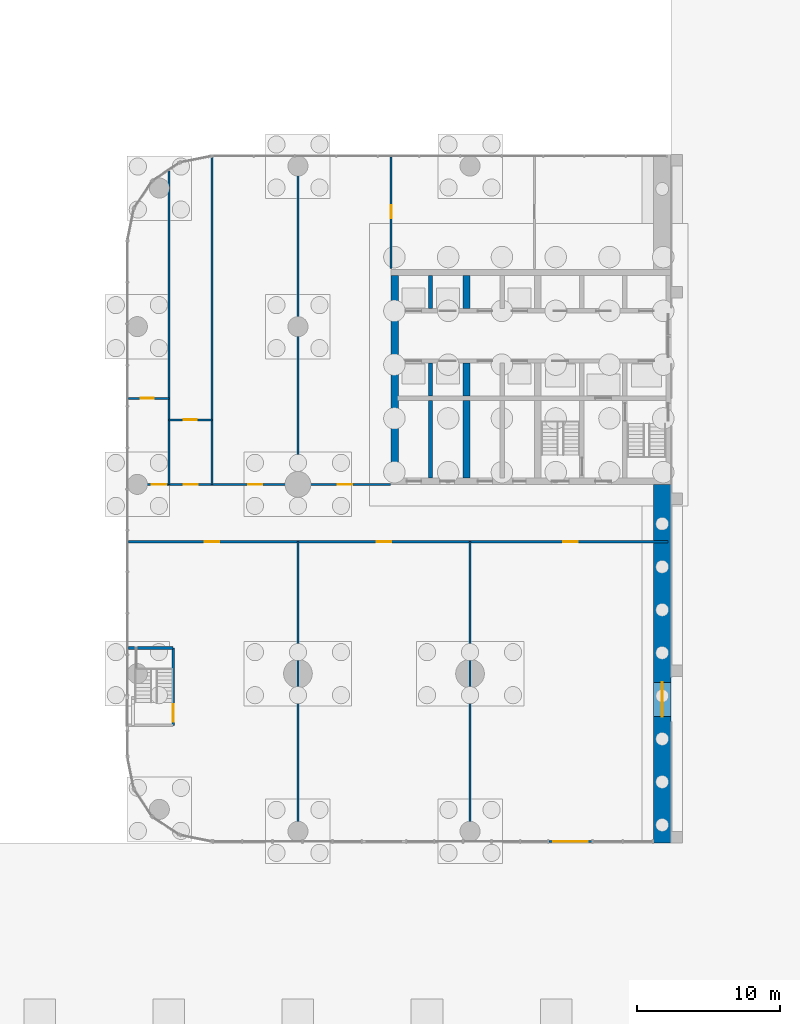
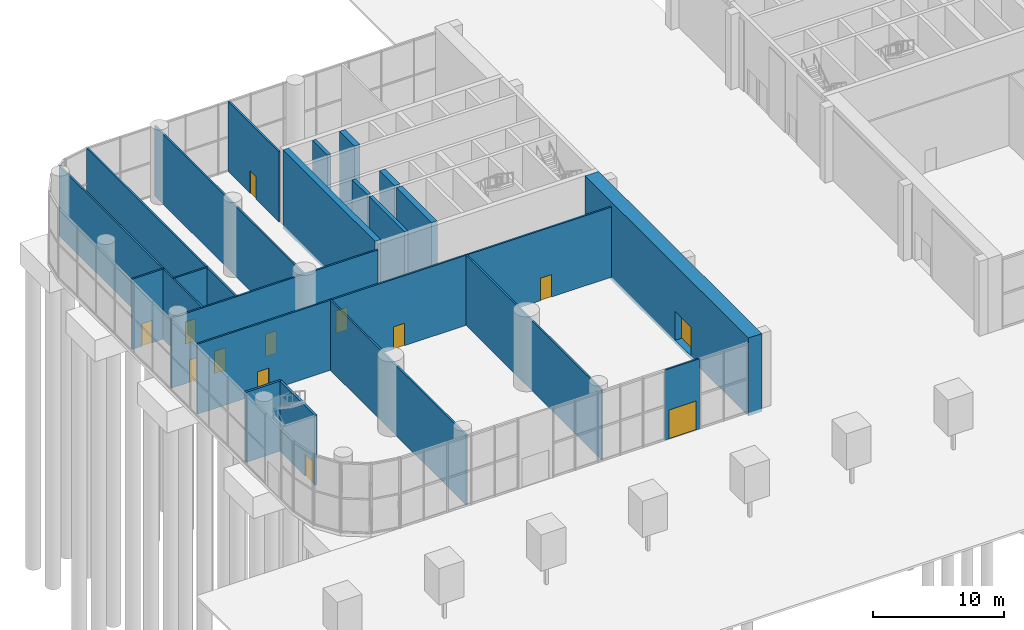
# One storey, part 17 of 26: 23 walls, 13 doors, 13 openings.
"""IFC4 building model written with IfcOpenShell, lengths in metres."""

import ifcopenshell
import ifcopenshell.guid

model = None  # the IFC model being written
_history = None  # IfcOwnerHistory: only IFC2X3 demands one
_inside = {}  # id of a spatial element -> (the spatial element, [elements in it])
_under = {}  # id of a project, library or spatial element -> (it, [spatial elements below it])
_declared = {}  # id of a project -> (the project, [libraries it declares])
_typed = {}  # id of a type object -> (the type object, [elements of that type])
_made_of = {}  # id of a material, layer set ... -> (it, [elements and type objects made of it])


def new_model(schema):
    """Start an empty IFC model of exactly this schema.

    Asked for "IFC4X3", IfcOpenShell would pick the latest addendum, in which some entities
    have other attributes; the version numbers below select the first issue.
    IFC2X3 requires an IfcOwnerHistory on every rooted entity: one is made here for all.
    """
    global model, _history
    if schema == "IFC4X3":
        model = ifcopenshell.file(schema_version=(4, 3, 0, 0))
    else:
        model = ifcopenshell.file(schema=schema)
    _inside.clear()
    _under.clear()
    _declared.clear()
    _typed.clear()
    _made_of.clear()
    _history = None
    if model.schema == "IFC2X3":
        org = make("IfcOrganization", Name="unknown")
        user = make(
            "IfcPersonAndOrganization",
            ThePerson=make("IfcPerson", FamilyName="unknown"),
            TheOrganization=org,
        )
        app = make(
            "IfcApplication",
            ApplicationDeveloper=org,
            Version="unknown",
            ApplicationFullName="unknown",
            ApplicationIdentifier="unknown",
        )
        _history = make(
            "IfcOwnerHistory",
            OwningUser=user,
            OwningApplication=app,
            ChangeAction="ADDED",
            CreationDate=0,
        )
    return model


def make(cls, **values):
    """One entity of the class cls with the attributes given. An attribute that is None is left unset."""
    return model.create_entity(
        cls, **{name: value for name, value in values.items() if value is not None}
    )


def rooted(cls, **values):
    """An entity with a GlobalId (a new one), such as an element, a storey or a relation."""
    return make(cls, GlobalId=ifcopenshell.guid.new(), OwnerHistory=_history, **values)


def si_unit(unit_type, name, prefix=None):
    """IfcSIUnit, for example si_unit("LENGTHUNIT", "METRE", prefix="MILLI")."""
    return make("IfcSIUnit", UnitType=unit_type, Prefix=prefix, Name=name)


def assignment(units):
    """IfcUnitAssignment: the units of a project."""
    return None if units is None else make("IfcUnitAssignment", Units=units)


def point(xyz):
    """IfcCartesianPoint."""
    return None if xyz is None else make("IfcCartesianPoint", Coordinates=xyz)


def direction(xyz):
    """IfcDirection."""
    return None if xyz is None else make("IfcDirection", DirectionRatios=xyz)


def frame(location, z_axis=None, x_axis=None):
    """IfcAxis2Placement3D, a coordinate frame: its origin and axes. An axis left out is left unset."""
    return make(
        "IfcAxis2Placement3D",
        Location=point(location),
        Axis=direction(z_axis),
        RefDirection=direction(x_axis),
    )


def frame_2d(location, x_axis=None):
    """IfcAxis2Placement2D, a coordinate frame in the plane: its origin and x axis."""
    return make(
        "IfcAxis2Placement2D", Location=point(location), RefDirection=direction(x_axis)
    )


def origin():
    """The frame at (0, 0, 0) with its axes left unset."""
    return frame((0.0, 0.0, 0.0))


def place(relative_to, where):
    """IfcLocalPlacement: puts the frame where relative to a parent placement (None: the world)."""
    return make(
        "IfcLocalPlacement", PlacementRelTo=relative_to, RelativePlacement=where
    )


def context(
    kind, dimensions, precision=None, world=None, true_north=None, identifier=None
):
    """IfcGeometricRepresentationContext, for example the 3D "Model" context."""
    return make(
        "IfcGeometricRepresentationContext",
        ContextIdentifier=identifier,
        ContextType=kind,
        CoordinateSpaceDimension=dimensions,
        Precision=precision,
        WorldCoordinateSystem=world,
        TrueNorth=true_north,
    )


def subcontext(parent, identifier, kind, view, scale=None):
    """IfcGeometricRepresentationSubContext, for example "Body" below "Model"."""
    return make(
        "IfcGeometricRepresentationSubContext",
        ContextIdentifier=identifier,
        ContextType=kind,
        ParentContext=parent,
        TargetScale=scale,
        TargetView=view,
    )


def project(units=None, contexts=None):
    """IfcProject with its units and contexts."""
    return rooted(
        "IfcProject",
        Name="project",
        RepresentationContexts=contexts,
        UnitsInContext=assignment(units),
    )


def spatial(cls, under=None, at=None, **own):
    """A site, building, storey or space (cls), placed at a placement, below another one or the project."""
    s = rooted(cls, ObjectPlacement=at, **own)
    if under is not None:
        _under.setdefault(under.id(), (under, []))[1].append(s)
    return s


def profile(cls, at=None, kind="AREA", **sizes):
    """A parametric profile (cls). Its sizes go by their IFC names, for example OverallWidth=200.0."""
    return make(cls, ProfileType=kind, Position=at, **sizes)


def rectangle(**sizes):
    """IfcRectangleProfileDef."""
    return profile("IfcRectangleProfileDef", **sizes)


def extrude(swept, where, along, depth):
    """IfcExtrudedAreaSolid: the profile swept, set in the frame where, extruded along a direction by depth."""
    return make(
        "IfcExtrudedAreaSolid",
        SweptArea=swept,
        Position=where,
        ExtrudedDirection=direction(along),
        Depth=depth,
    )


def shape(context_of_items, identifier, shape_type, items):
    """IfcShapeRepresentation: the items that make up one representation, for example the "Body"."""
    return make(
        "IfcShapeRepresentation",
        ContextOfItems=context_of_items,
        RepresentationIdentifier=identifier,
        RepresentationType=shape_type,
        Items=items,
    )


def material(Name=None, Category=None):
    """IfcMaterial."""
    return make("IfcMaterial", Name=Name, Category=Category)


def layer(
    of_material, thickness, ventilated=None, Name=None, Category=None, Priority=None
):
    """IfcMaterialLayer: one layer of a wall or slab, of a material (None: an air gap)."""
    return make(
        "IfcMaterialLayer",
        Material=of_material,
        LayerThickness=thickness,
        IsVentilated=ventilated,
        Name=Name,
        Category=Category,
        Priority=Priority,
    )


def layer_set(layers, Name=None):
    """IfcMaterialLayerSet."""
    return make("IfcMaterialLayerSet", MaterialLayers=layers, LayerSetName=Name)


def made_of(thing, what):
    """Note that an element or type object is made of a material, layer set ...; save() writes the relation."""
    if what is not None:
        _made_of.setdefault(what.id(), (what, []))[1].append(thing)
    return thing


def type_object(cls, material=None, **own):
    """A type object (cls), such as IfcWallType, which elements share."""
    return made_of(rooted(cls, **own), material)


def element(
    cls,
    number,
    at=None,
    inside=None,
    cuts=None,
    type_object=None,
    material=None,
    context=None,
    identifier="Body",
    shape_type=None,
    held_by="IfcProductDefinitionShape",
    body=None,
    shapes=None,
    **own,
):
    """One element of the class cls, such as IfcWall. Its Tag is "e" and its number.

    at: its placement. inside: the storey or other place that contains it. cuts: it is an
    opening in that element (IfcRelVoidsElement). A single representation is given by context,
    identifier, shape_type and body (its items); several are given by shapes. held_by: the class
    of the entity that holds the representations. save() writes the other relations.
    """
    e = rooted(cls, Tag="e%d" % number, ObjectPlacement=at, **own)
    if body is not None:
        shapes = [shape(context, identifier, shape_type, body)]
    if shapes is not None:
        e.Representation = make(held_by, Representations=shapes)
    if inside is not None:
        _inside.setdefault(inside.id(), (inside, []))[1].append(e)
    if cuts is not None:
        rooted(
            "IfcRelVoidsElement", RelatingBuildingElement=cuts, RelatedOpeningElement=e
        )
    if type_object is not None:
        _typed.setdefault(type_object.id(), (type_object, []))[1].append(e)
    return made_of(e, material)


def fill(opening, filler):
    """IfcRelFillsElement: the door or window that sits in an opening."""
    return rooted(
        "IfcRelFillsElement",
        RelatingOpeningElement=opening,
        RelatedBuildingElement=filler,
    )


def aggregate(whole, parts):
    """IfcRelAggregates: a whole, such as a stair, and the parts it consists of."""
    return rooted("IfcRelAggregates", RelatingObject=whole, RelatedObjects=parts)


def save(model, path):
    """Write the relations noted so far, then the file.

    IfcRelAggregates (storeys below a building ...), IfcRelContainedInSpatialStructure (elements
    in a storey), IfcRelDefinesByType, IfcRelAssociatesMaterial and IfcRelDeclares: one each for
    every whole, place, type object, material and project.
    """
    for whole, parts in _under.values():
        aggregate(whole, parts)
    for where, things in _inside.values():
        rooted(
            "IfcRelContainedInSpatialStructure",
            RelatedElements=things,
            RelatingStructure=where,
        )
    for kind, things in _typed.values():
        rooted("IfcRelDefinesByType", RelatedObjects=things, RelatingType=kind)
    for what, things in _made_of.values():
        rooted("IfcRelAssociatesMaterial", RelatedObjects=things, RelatingMaterial=what)
    for by, libraries in _declared.values():
        rooted("IfcRelDeclares", RelatingContext=by, RelatedDefinitions=libraries)
    model.write(path)


model = new_model("IFC4")

# Units and contexts
model_context = context("Model", 3, precision=1e-05, world=origin(), true_north=direction((0.0, 1.0)))
body_context = subcontext(model_context, "Body", "Model", "MODEL_VIEW")
ifc_project = project(units=[si_unit("LENGTHUNIT", "METRE"), si_unit("AREAUNIT", "SQUARE_METRE"), si_unit("VOLUMEUNIT", "CUBIC_METRE"), si_unit("PLANEANGLEUNIT", "RADIAN"), si_unit("MASSUNIT", "GRAM", prefix="KILO")], contexts=[model_context])

# Site, building, storey
site_placement = place(None, origin())
site = spatial("IfcSite", under=ifc_project, at=site_placement, CompositionType="ELEMENT")
building_placement = place(site_placement, origin())
building = spatial("IfcBuilding", under=site, at=building_placement, Name="Torana Hotel and Residences", CompositionType="ELEMENT")
storey_placement = place(building_placement, origin())
storey = spatial("IfcBuildingStorey", under=building, at=storey_placement, Name="L00", CompositionType="ELEMENT", Elevation=0.0)

# Wall, opening, door
ifc_material_1 = material(Name="Concrete C70/85", Category="concrete")
ifc_layer_1 = layer(ifc_material_1, 1.199951171875)
ifc_layer_set_1 = layer_set([ifc_layer_1], Name="CORE WALL 1200 C70/85")
wall_type_1 = type_object("IfcWallType", Name="CORE WALL 1200 C70/85", PredefinedType="SHEAR", material=ifc_layer_set_1)
wall_1_placement = place(storey_placement, frame((-10.60009765625, -40.0, -0.300048828125), z_axis=(0.0, 0.0, 1.0), x_axis=(0.0, 1.0, 0.0)))
wall_1 = element("IfcWall", 1, at=wall_1_placement, inside=storey, type_object=wall_type_1, Name="Arch jamb wall W", PredefinedType="SHEAR", context=body_context, shape_type="SweptSolid", body=[
    extrude(rectangle(XDim=25.0, YDim=1.199951171875, at=frame_2d((12.5, 0.0))), origin(), (0.0, 0.0, 1.0), 7.300048828125),
])
opening_1_placement = place(wall_1_placement, frame((8.800048828125, 0.0, 0.300048828125)))
opening_1 = element("IfcOpeningElement", 2, at=opening_1_placement, cuts=wall_1, Name="Opening L00-E07", PredefinedType="OPENING", context=body_context, shape_type="SweptSolid", body=[
    extrude(rectangle(XDim=2.39990234375, YDim=2.699951171875, at=frame_2d((1.199951171875, 1.35009765625))), frame((0.0, 0.60986328125, 0.0), z_axis=(0.0, -1.0, 0.0), x_axis=(1.0, 0.0, 0.0)), (0.0, 0.0, 1.0), 1.219970703125),
])
ifc_material_2 = material(Name="Glass door in stainless steel frame", Category="steel")
door_type_1 = type_object("IfcDoorType", Name="DE1 ENTRANCE DOOR 2400x2700", OperationType="DOUBLE_DOOR_DOUBLE_SWING", PredefinedType="DOOR", material=ifc_material_2)
door_1_placement = place(opening_1_placement, frame((1.199951171875, 0.0, 0.0), z_axis=(0.0, 0.0, 1.0), x_axis=(-1.0, 0.0, 0.0)))
door_1 = element("IfcDoor", 3, at=door_1_placement, inside=storey, type_object=door_type_1, Name="Entrance door L00", OperationType="DOUBLE_DOOR_DOUBLE_SWING", OverallHeight=2.699951171875, OverallWidth=2.39990234375, PredefinedType="DOOR", context=body_context, shape_type="SweptSolid", body=[
    extrude(rectangle(XDim=2.39990234375, YDim=2.699951171875, at=frame_2d((0.0, 1.35009765625))), frame((0.0, -0.02490234375, 0.0), z_axis=(0.0, 1.0, 0.0), x_axis=(-1.0, 0.0, 0.0)), (0.0, 0.0, 1.0), 0.050048828125),
])
fill(opening_1, door_1)

# Walls
ifc_material_3 = material(Name="Concrete C80/95", Category="concrete")
ifc_layer_2 = layer(ifc_material_3, 0.300048828125)
ifc_layer_set_2 = layer_set([ifc_layer_2], Name="CORE WALL 300 C80/95")
wall_type_2 = type_object("IfcWallType", Name="CORE WALL 300 C80/95", PredefinedType="SHEAR", material=ifc_layer_set_2)
for number, where, z_axis, x_axis, name in (
    (4, (-26.75, -2.75, -0.300048828125), (0.0, 0.0, 1.0), (0.0, 1.0, 0.0), "Core wall W ll-N"),
    (5, (-26.75, -8.85009765625, -0.300048828125), (0.0, 0.0, 1.0), (0.0, 1.0, 0.0), "Core wall W ll-S"),
):
    element("IfcWall", number, at=place(storey_placement, frame(where, z_axis=z_axis, x_axis=x_axis)), inside=storey, type_object=wall_type_2, Name=name, PredefinedType="SHEAR", context=body_context, shape_type="SweptSolid", body=[
        extrude(rectangle(XDim=2.300048828125, YDim=0.300048828125, at=frame_2d((1.14990234375, 0.0))), origin(), (0.0, 0.0, 1.0), 7.300048828125),
    ])
wall_2_placement = place(storey_placement, frame((-26.75, -14.550048828125, -0.300048828125), z_axis=(0.0, 0.0, 1.0), x_axis=(0.0, 1.0, 0.0)))
element("IfcWall", 6, at=wall_2_placement, inside=storey, type_object=wall_type_2, Name="Core wall W ll-band", PredefinedType="SHEAR", context=body_context, shape_type="SweptSolid", body=[
    extrude(rectangle(XDim=5.400146484375, YDim=0.300048828125, at=frame_2d((2.7001953125, 0.0))), origin(), (0.0, 0.0, 1.0), 7.300048828125),
])
ifc_material_4 = material(Name="Concrete C80/95", Category="concrete")
ifc_layer_3 = layer(ifc_material_4, 0.5)
ifc_layer_set_3 = layer_set([ifc_layer_3], Name="CORE WALL 500 C80/95")
wall_type_3 = type_object("IfcWallType", Name="CORE WALL 500 C80/95", PredefinedType="SHEAR", material=ifc_layer_set_3)
wall_3_placement = place(storey_placement, frame((-29.25, -14.550048828125, -0.300048828125), z_axis=(0.0, 0.0, 1.0), x_axis=(0.0, 1.0, 0.0)))
element("IfcWall", 7, at=wall_3_placement, inside=storey, type_object=wall_type_3, Name="Core wall W outer", PredefinedType="SHEAR", context=body_context, shape_type="SweptSolid", body=[
    extrude(rectangle(XDim=14.10009765625, YDim=0.5, at=frame_2d((7.050048828125, 0.0))), origin(), (0.0, 0.0, 1.0), 7.300048828125),
])
for number, where, z_axis, x_axis, name in (
    (8, (-24.25, -2.75, -0.300048828125), (0.0, 0.0, 1.0), (0.0, 1.0, 0.0), "Core wall W ml-N"),
    (9, (-24.25, -8.85009765625, -0.300048828125), (0.0, 0.0, 1.0), (0.0, 1.0, 0.0), "Core wall W ml-S"),
):
    element("IfcWall", number, at=place(storey_placement, frame(where, z_axis=z_axis, x_axis=x_axis)), inside=storey, type_object=wall_type_3, Name=name, PredefinedType="SHEAR", context=body_context, shape_type="SweptSolid", body=[
        extrude(rectangle(XDim=2.300048828125, YDim=0.5, at=frame_2d((1.14990234375, 0.0))), origin(), (0.0, 0.0, 1.0), 7.300048828125),
    ])
wall_4_placement = place(storey_placement, frame((-24.25, -14.550048828125, -0.300048828125), z_axis=(0.0, 0.0, 1.0), x_axis=(0.0, 1.0, 0.0)))
element("IfcWall", 10, at=wall_4_placement, inside=storey, type_object=wall_type_3, Name="Core wall W ml-band", PredefinedType="SHEAR", context=body_context, shape_type="SweptSolid", body=[
    extrude(rectangle(XDim=5.400146484375, YDim=0.5, at=frame_2d((2.7001953125, 0.0))), origin(), (0.0, 0.0, 1.0), 7.300048828125),
])
ifc_material_5 = material(Name="Gypsum plaster")
ifc_layer_4 = layer(ifc_material_5, 0.014892578125, Name="Plaster", Category="finish")
ifc_material_6 = material(Name="Concrete blockwork", Category="masonry")
ifc_layer_5 = layer(ifc_material_6, 0.1201171875, Name="Blockwork", Category="structure")
ifc_layer_6 = layer(ifc_material_5, 0.014892578125, Name="Plaster", Category="finish")
ifc_layer_set_4 = layer_set([ifc_layer_4, ifc_layer_5, ifc_layer_6], Name="FIRE PARTITION 150 BLOCKWORK")
wall_type_4 = type_object("IfcWallType", Name="FIRE PARTITION 150 BLOCKWORK", PredefinedType="PARTITIONING", material=ifc_layer_set_4)
for number, where, z_axis, x_axis, name in (
    (11, (-24.0, -39.820068359375, 0.0), (0.0, 0.0, 1.0), (0.0, 1.0, 0.0), "Partition L00"),
    (12, (-36.0, -39.820068359375, 0.0), (0.0, 0.0, 1.0), (0.0, 1.0, 0.0), "Partition L00"),
):
    element("IfcWall", number, at=place(storey_placement, frame(where, z_axis=z_axis, x_axis=x_axis)), inside=storey, type_object=wall_type_4, Name=name, PredefinedType="PARTITIONING", context=body_context, shape_type="SweptSolid", body=[
        extrude(rectangle(XDim=20.820068359375, YDim=0.14990234375, at=frame_2d((10.41015625, 0.0))), origin(), (0.0, 0.0, 1.0), 6.550048828125),
    ])

# Wall, openings, doors
wall_5_placement = place(storey_placement, frame((-47.820068359375, -19.0, 0.0), z_axis=(0.0, 0.0, 1.0), x_axis=(1.0, 0.0, 0.0)))
wall_5 = element("IfcWall", 13, at=wall_5_placement, inside=storey, type_object=wall_type_4, Name="Partition L00", PredefinedType="PARTITIONING", context=body_context, shape_type="SweptSolid", body=[
    extrude(rectangle(XDim=37.64013671875, YDim=0.14990234375, at=frame_2d((18.820068359375, 0.0))), origin(), (0.0, 0.0, 1.0), 6.550048828125),
])
opening_2_placement = place(wall_5_placement, frame((5.320068359375, 0.0, 0.0)))
opening_2 = element("IfcOpeningElement", 14, at=opening_2_placement, cuts=wall_5, Name="Opening L00-45", PredefinedType="OPENING", context=body_context, shape_type="SweptSolid", body=[
    extrude(rectangle(XDim=1.0, YDim=2.10009765625, at=frame_2d((0.5, 1.050048828125))), frame((0.0, 0.0849609375, 0.0), z_axis=(0.0, -1.0, 0.0), x_axis=(1.0, 0.0, 0.0)), (0.0, 0.0, 1.0), 0.169921875),
])
opening_3_placement = place(wall_5_placement, frame((17.320068359375, 0.0, 0.0)))
opening_3 = element("IfcOpeningElement", 15, at=opening_3_placement, cuts=wall_5, Name="Opening L00-46", PredefinedType="OPENING", context=body_context, shape_type="SweptSolid", body=[
    extrude(rectangle(XDim=1.0, YDim=2.10009765625, at=frame_2d((0.5, 1.050048828125))), frame((0.0, 0.0849609375, 0.0), z_axis=(0.0, -1.0, 0.0), x_axis=(1.0, 0.0, 0.0)), (0.0, 0.0, 1.0), 0.169921875),
])
opening_4_placement = place(wall_5_placement, frame((30.320068359375, 0.0, 0.0)))
opening_4 = element("IfcOpeningElement", 16, at=opening_4_placement, cuts=wall_5, Name="Opening L00-47", PredefinedType="OPENING", context=body_context, shape_type="SweptSolid", body=[
    extrude(rectangle(XDim=1.0, YDim=2.10009765625, at=frame_2d((0.5, 1.050048828125))), frame((0.0, 0.0849609375, 0.0), z_axis=(0.0, -1.0, 0.0), x_axis=(1.0, 0.0, 0.0)), (0.0, 0.0, 1.0), 0.169921875),
])
ifc_material_7 = material(Name="Steel S235", Category="steel")
door_type_2 = type_object("IfcDoorType", Name="ENTRY FIRE DOOR D6 1000x2100", OperationType="SINGLE_SWING_LEFT", PredefinedType="DOOR", material=ifc_material_7)
door_2_placement = place(opening_2_placement, frame((0.5, 0.0, 0.0), z_axis=(0.0, 0.0, 1.0), x_axis=(-1.0, 0.0, 0.0)))
door_2 = element("IfcDoor", 17, at=door_2_placement, inside=storey, type_object=door_type_2, Name="Door L00", OperationType="SINGLE_SWING_LEFT", OverallHeight=2.10009765625, OverallWidth=1.0, PredefinedType="DOOR", context=body_context, shape_type="SweptSolid", body=[
    extrude(rectangle(XDim=1.0, YDim=2.10009765625, at=frame_2d((0.0, 1.050048828125))), frame((0.0, -0.02490234375, 0.0), z_axis=(0.0, 1.0, 0.0), x_axis=(-1.0, 0.0, 0.0)), (0.0, 0.0, 1.0), 0.050048828125),
])
fill(opening_2, door_2)
door_3_placement = place(opening_3_placement, origin())
door_3 = element("IfcDoor", 18, at=door_3_placement, inside=storey, type_object=door_type_2, Name="Door L00", OperationType="SINGLE_SWING_RIGHT", OverallHeight=2.10009765625, OverallWidth=1.0, PredefinedType="DOOR", context=body_context, shape_type="SweptSolid", body=[
    extrude(rectangle(XDim=1.0, YDim=2.10009765625, at=frame_2d((0.5, 1.050048828125))), frame((0.0, 0.02490234375, 0.0), z_axis=(0.0, -1.0, 0.0), x_axis=(1.0, 0.0, 0.0)), (0.0, 0.0, 1.0), 0.050048828125),
])
fill(opening_3, door_3)
door_4_placement = place(opening_4_placement, origin())
door_4 = element("IfcDoor", 19, at=door_4_placement, inside=storey, type_object=door_type_2, Name="Door L00", OperationType="SINGLE_SWING_RIGHT", OverallHeight=2.10009765625, OverallWidth=1.0, PredefinedType="DOOR", context=body_context, shape_type="SweptSolid", body=[
    extrude(rectangle(XDim=1.0, YDim=2.10009765625, at=frame_2d((0.5, 1.050048828125))), frame((0.0, 0.02490234375, 0.0), z_axis=(0.0, -1.0, 0.0), x_axis=(1.0, 0.0, 0.0)), (0.0, 0.0, 1.0), 0.050048828125),
])
fill(opening_4, door_4)

wall_6_placement = place(storey_placement, frame((-47.820068359375, -15.0, 0.0), z_axis=(0.0, 0.0, 1.0), x_axis=(1.0, 0.0, 0.0)))
wall_6 = element("IfcWall", 20, at=wall_6_placement, inside=storey, type_object=wall_type_4, Name="Partition L00", PredefinedType="PARTITIONING", context=body_context, shape_type="SweptSolid", body=[
    extrude(rectangle(XDim=18.27001953125, YDim=0.14990234375, at=frame_2d((9.135009765625, 0.0))), origin(), (0.0, 0.0, 1.0), 6.550048828125),
])
opening_5_placement = place(wall_6_placement, frame((1.6201171875, 0.0, 0.0)))
opening_5 = element("IfcOpeningElement", 21, at=opening_5_placement, cuts=wall_6, Name="Opening L00-48", PredefinedType="OPENING", context=body_context, shape_type="SweptSolid", body=[
    extrude(rectangle(XDim=1.0, YDim=2.10009765625, at=frame_2d((0.5, 1.050048828125))), frame((0.0, 0.0849609375, 0.0), z_axis=(0.0, -1.0, 0.0), x_axis=(1.0, 0.0, 0.0)), (0.0, 0.0, 1.0), 0.169921875),
])
opening_6_placement = place(wall_6_placement, frame((3.840087890625, 0.0, 0.0)))
opening_6 = element("IfcOpeningElement", 22, at=opening_6_placement, cuts=wall_6, Name="Opening L00-49", PredefinedType="OPENING", context=body_context, shape_type="SweptSolid", body=[
    extrude(rectangle(XDim=1.0, YDim=2.10009765625, at=frame_2d((0.5, 1.050048828125))), frame((0.0, 0.0849609375, 0.0), z_axis=(0.0, -1.0, 0.0), x_axis=(1.0, 0.0, 0.0)), (0.0, 0.0, 1.0), 0.169921875),
])
opening_7_placement = place(wall_6_placement, frame((8.340087890625, 0.0, 0.0)))
opening_7 = element("IfcOpeningElement", 23, at=opening_7_placement, cuts=wall_6, Name="Opening L00-50", PredefinedType="OPENING", context=body_context, shape_type="SweptSolid", body=[
    extrude(rectangle(XDim=1.0, YDim=2.10009765625, at=frame_2d((0.5, 1.050048828125))), frame((0.0, 0.0849609375, 0.0), z_axis=(0.0, -1.0, 0.0), x_axis=(1.0, 0.0, 0.0)), (0.0, 0.0, 1.0), 0.169921875),
])
opening_8_placement = place(wall_6_placement, frame((14.590087890625, 0.0, 0.0)))
opening_8 = element("IfcOpeningElement", 24, at=opening_8_placement, cuts=wall_6, Name="Opening L00-51", PredefinedType="OPENING", context=body_context, shape_type="SweptSolid", body=[
    extrude(rectangle(XDim=1.0, YDim=2.10009765625, at=frame_2d((0.5, 1.050048828125))), frame((0.0, 0.0849609375, 0.0), z_axis=(0.0, -1.0, 0.0), x_axis=(1.0, 0.0, 0.0)), (0.0, 0.0, 1.0), 0.169921875),
])
ifc_material_8 = material(Name="Steel S235", Category="steel")
door_type_3 = type_object("IfcDoorType", Name="CORE ROOM FIRE DOOR D14 1000x2100", OperationType="SINGLE_SWING_LEFT", PredefinedType="DOOR", material=ifc_material_8)
door_5_placement = place(opening_5_placement, origin())
door_5 = element("IfcDoor", 25, at=door_5_placement, inside=storey, type_object=door_type_3, Name="Door L00", OperationType="SINGLE_SWING_LEFT", OverallHeight=2.10009765625, OverallWidth=1.0, PredefinedType="DOOR", context=body_context, shape_type="SweptSolid", body=[
    extrude(rectangle(XDim=1.0, YDim=2.10009765625, at=frame_2d((0.5, 1.050048828125))), frame((0.0, 0.02490234375, 0.0), z_axis=(0.0, -1.0, 0.0), x_axis=(1.0, 0.0, 0.0)), (0.0, 0.0, 1.0), 0.050048828125),
])
fill(opening_5, door_5)
door_6_placement = place(opening_6_placement, origin())
door_6 = element("IfcDoor", 26, at=door_6_placement, inside=storey, type_object=door_type_3, Name="Door L00", OperationType="SINGLE_SWING_RIGHT", OverallHeight=2.10009765625, OverallWidth=1.0, PredefinedType="DOOR", context=body_context, shape_type="SweptSolid", body=[
    extrude(rectangle(XDim=1.0, YDim=2.10009765625, at=frame_2d((0.5, 1.050048828125))), frame((0.0, 0.02490234375, 0.0), z_axis=(0.0, -1.0, 0.0), x_axis=(1.0, 0.0, 0.0)), (0.0, 0.0, 1.0), 0.050048828125),
])
fill(opening_6, door_6)
door_7_placement = place(opening_7_placement, origin())
door_7 = element("IfcDoor", 27, at=door_7_placement, inside=storey, type_object=door_type_3, Name="Door L00", OperationType="SINGLE_SWING_RIGHT", OverallHeight=2.10009765625, OverallWidth=1.0, PredefinedType="DOOR", context=body_context, shape_type="SweptSolid", body=[
    extrude(rectangle(XDim=1.0, YDim=2.10009765625, at=frame_2d((0.5, 1.050048828125))), frame((0.0, 0.02490234375, 0.0), z_axis=(0.0, -1.0, 0.0), x_axis=(1.0, 0.0, 0.0)), (0.0, 0.0, 1.0), 0.050048828125),
])
fill(opening_7, door_7)
door_8_placement = place(opening_8_placement, origin())
door_8 = element("IfcDoor", 28, at=door_8_placement, inside=storey, type_object=door_type_3, Name="Door L00", OperationType="SINGLE_SWING_RIGHT", OverallHeight=2.10009765625, OverallWidth=1.0, PredefinedType="DOOR", context=body_context, shape_type="SweptSolid", body=[
    extrude(rectangle(XDim=1.0, YDim=2.10009765625, at=frame_2d((0.5, 1.050048828125))), frame((0.0, 0.02490234375, 0.0), z_axis=(0.0, -1.0, 0.0), x_axis=(1.0, 0.0, 0.0)), (0.0, 0.0, 1.0), 0.050048828125),
])
fill(opening_8, door_8)

# Wall, opening, door
ifc_material_9 = material(Name="Dark glass screen in aluminium frame", Category="aluminium")
ifc_layer_7 = layer(ifc_material_9, 0.14990234375)
ifc_layer_set_5 = layer_set([ifc_layer_7], Name="GS1 GLAZED DOOR SCREEN 150")
wall_type_5 = type_object("IfcWallType", Name="GS1 GLAZED DOOR SCREEN 150", PredefinedType="USERDEFINED", material=ifc_layer_set_5)
wall_7_placement = place(storey_placement, frame((-18.5, -39.89990234375, 0.0), z_axis=(0.0, 0.0, 1.0), x_axis=(1.0, 0.0, 0.0)))
wall_7 = element("IfcWall", 29, at=wall_7_placement, inside=storey, type_object=wall_type_5, Name="Glazed door screen L00", ObjectType="GLAZED SCREEN", PredefinedType="USERDEFINED", context=body_context, shape_type="SweptSolid", body=[
    extrude(rectangle(XDim=3.0, YDim=0.14990234375, at=frame_2d((1.5, 0.0))), origin(), (0.0, 0.0, 1.0), 6.550048828125),
])
opening_9_placement = place(wall_7_placement, frame((0.300048828125, 0.0, 0.0)))
opening_9 = element("IfcOpeningElement", 30, at=opening_9_placement, cuts=wall_7, Name="Opening L00-E02", PredefinedType="OPENING", context=body_context, shape_type="SweptSolid", body=[
    extrude(rectangle(XDim=2.39990234375, YDim=2.699951171875, at=frame_2d((1.199951171875, 1.35009765625))), frame((0.0, 0.0849609375, 0.0), z_axis=(0.0, -1.0, 0.0), x_axis=(1.0, 0.0, 0.0)), (0.0, 0.0, 1.0), 0.169921875),
])
door_9_placement = place(opening_9_placement, frame((1.199951171875, 0.0, 0.0), z_axis=(0.0, 0.0, 1.0), x_axis=(-1.0, 0.0, 0.0)))
door_9 = element("IfcDoor", 31, at=door_9_placement, inside=storey, type_object=door_type_1, Name="Entrance door L00", OperationType="DOUBLE_DOOR_DOUBLE_SWING", OverallHeight=2.699951171875, OverallWidth=2.39990234375, PredefinedType="DOOR", context=body_context, shape_type="SweptSolid", body=[
    extrude(rectangle(XDim=2.39990234375, YDim=2.699951171875, at=frame_2d((0.0, 1.35009765625))), frame((0.0, -0.02490234375, 0.0), z_axis=(0.0, 1.0, 0.0), x_axis=(-1.0, 0.0, 0.0)), (0.0, 0.0, 1.0), 0.050048828125),
])
fill(opening_9, door_9)

ifc_material_10 = material(Name="Gypsum plasterboard")
ifc_layer_8 = layer(ifc_material_10, 0.012451171875, Name="Plasterboard", Category="finish")
ifc_layer_9 = layer(ifc_material_10, 0.012451171875, Name="Plasterboard", Category="finish")
ifc_material_11 = material(Name="Steel S280GD", Category="steel")
ifc_layer_10 = layer(ifc_material_11, 0.10009765625, Name="Steel studs with mineral wool", Category="insulation")
ifc_layer_11 = layer(ifc_material_10, 0.012451171875, Name="Plasterboard", Category="finish")
ifc_layer_12 = layer(ifc_material_10, 0.012451171875, Name="Plasterboard", Category="finish")
ifc_layer_set_6 = layer_set([ifc_layer_8, ifc_layer_9, ifc_layer_10, ifc_layer_11, ifc_layer_12], Name="PARTITION 150 PLASTERBOARD")
wall_type_6 = type_object("IfcWallType", Name="PARTITION 150 PLASTERBOARD", PredefinedType="PARTITIONING", material=ifc_layer_set_6)
wall_8_placement = place(storey_placement, frame((-29.5, 0.050048828125, 0.0), z_axis=(0.0, 0.0, 1.0), x_axis=(0.0, 1.0, 0.0)))
wall_8 = element("IfcWall", 32, at=wall_8_placement, inside=storey, type_object=wall_type_6, Name="Partition L00", PredefinedType="PARTITIONING", context=body_context, shape_type="SweptSolid", body=[
    extrude(rectangle(XDim=7.77001953125, YDim=0.14990234375, at=frame_2d((3.885009765625, 0.0))), origin(), (0.0, 0.0, 1.0), 6.550048828125),
])
opening_10_placement = place(wall_8_placement, frame((3.5, 0.0, 0.0)))
opening_10 = element("IfcOpeningElement", 33, at=opening_10_placement, cuts=wall_8, Name="Opening L00-55", PredefinedType="OPENING", context=body_context, shape_type="SweptSolid", body=[
    extrude(rectangle(XDim=0.89990234375, YDim=2.10009765625, at=frame_2d((0.449951171875, 1.050048828125))), frame((0.0, 0.0849609375, 0.0), z_axis=(0.0, -1.0, 0.0), x_axis=(1.0, 0.0, 0.0)), (0.0, 0.0, 1.0), 0.169921875),
])
ifc_material_12 = material(Name="Timber door, oiled ash", Category="wood")
door_type_4 = type_object("IfcDoorType", Name="ROOM DOOR D7 900x2100", OperationType="SINGLE_SWING_LEFT", PredefinedType="DOOR", material=ifc_material_12)
door_10_placement = place(opening_10_placement, origin())
door_10 = element("IfcDoor", 34, at=door_10_placement, inside=storey, type_object=door_type_4, Name="Door L00", OperationType="SINGLE_SWING_RIGHT", OverallHeight=2.10009765625, OverallWidth=0.89990234375, PredefinedType="DOOR", context=body_context, shape_type="SweptSolid", body=[
    extrude(rectangle(XDim=0.89990234375, YDim=2.10009765625, at=frame_2d((0.449951171875, 1.050048828125))), frame((0.0, 0.02490234375, 0.0), z_axis=(0.0, -1.0, 0.0), x_axis=(1.0, 0.0, 0.0)), (0.0, 0.0, 1.0), 0.050048828125),
])
fill(opening_10, door_10)

# Walls
wall_9_placement = place(storey_placement, frame((-36.0, -15.0, 0.0), z_axis=(0.0, 0.0, 1.0), x_axis=(0.0, 1.0, 0.0)))
element("IfcWall", 35, at=wall_9_placement, inside=storey, type_object=wall_type_6, Name="Partition L00", PredefinedType="PARTITIONING", context=body_context, shape_type="SweptSolid", body=[
    extrude(rectangle(XDim=22.820068359375, YDim=0.14990234375, at=frame_2d((11.41015625, 0.0))), origin(), (0.0, 0.0, 1.0), 6.550048828125),
])
wall_10_placement = place(storey_placement, frame((-42.0, -10.5, 0.0), z_axis=(0.0, 0.0, 1.0), x_axis=(0.0, 1.0, 0.0)))
element("IfcWall", 36, at=wall_10_placement, inside=storey, type_object=wall_type_6, Name="Partition L00", PredefinedType="PARTITIONING", context=body_context, shape_type="SweptSolid", body=[
    extrude(rectangle(XDim=18.31640625, YDim=0.14990234375, at=frame_2d((9.158203125, 0.0))), origin(), (0.0, 0.0, 1.0), 6.550048828125),
])
wall_11_placement = place(storey_placement, frame((-45.0, -9.0, 0.0), z_axis=(0.0, 0.0, 1.0), x_axis=(0.0, 1.0, 0.0)))
element("IfcWall", 37, at=wall_11_placement, inside=storey, type_object=wall_type_6, Name="Partition L00", PredefinedType="PARTITIONING", context=body_context, shape_type="SweptSolid", body=[
    extrude(rectangle(XDim=15.8564453125, YDim=0.14990234375, at=frame_2d((7.92822265625, 0.0))), origin(), (0.0, 0.0, 1.0), 6.550048828125),
])

# Wall, opening, door
ifc_material_13 = material(Name="Concrete C40/50", Category="concrete")
ifc_layer_13 = layer(ifc_material_13, 0.199951171875)
ifc_layer_set_7 = layer_set([ifc_layer_13], Name="STAIR ENCLOSURE WALL 200 C40/50 120 min")
wall_type_7 = type_object("IfcWallType", Name="STAIR ENCLOSURE WALL 200 C40/50 120 min", PredefinedType="SHEAR", material=ifc_layer_set_7)
wall_12_placement = place(storey_placement, frame((-44.699951171875, -31.800048828125, 0.0), z_axis=(0.0, 0.0, 1.0), x_axis=(0.0, 1.0, 0.0)))
wall_12 = element("IfcWall", 38, at=wall_12_placement, inside=storey, type_object=wall_type_7, Name="Partition L00", PredefinedType="SHEAR", context=body_context, shape_type="SweptSolid", body=[
    extrude(rectangle(XDim=5.400146484375, YDim=0.199951171875, at=frame_2d((2.7001953125, 0.0))), origin(), (0.0, 0.0, 1.0), 6.550048828125),
])
opening_11_placement = place(wall_12_placement, frame((0.25, 0.0, 0.0)))
opening_11 = element("IfcOpeningElement", 39, at=opening_11_placement, cuts=wall_12, Name="Opening L00-52", PredefinedType="OPENING", context=body_context, shape_type="SweptSolid", body=[
    extrude(rectangle(XDim=1.199951171875, YDim=2.10009765625, at=frame_2d((0.60009765625, 1.050048828125))), frame((0.0, 0.10986328125, 0.0), z_axis=(0.0, -1.0, 0.0), x_axis=(1.0, 0.0, 0.0)), (0.0, 0.0, 1.0), 0.219970703125),
])
ifc_material_14 = material(Name="Steel S235", Category="steel")
door_type_5 = type_object("IfcDoorType", Name="STAIR FIRE DOOR D3 1200x2100", OperationType="SINGLE_SWING_LEFT", PredefinedType="DOOR", material=ifc_material_14)
door_11_placement = place(opening_11_placement, origin())
door_11 = element("IfcDoor", 40, at=door_11_placement, inside=storey, type_object=door_type_5, Name="Door L00", OperationType="SINGLE_SWING_RIGHT", OverallHeight=2.10009765625, OverallWidth=1.199951171875, PredefinedType="DOOR", context=body_context, shape_type="SweptSolid", body=[
    extrude(rectangle(XDim=1.199951171875, YDim=2.10009765625, at=frame_2d((0.60009765625, 1.050048828125))), frame((0.0, 0.02490234375, 0.0), z_axis=(0.0, -1.0, 0.0), x_axis=(1.0, 0.0, 0.0)), (0.0, 0.0, 1.0), 0.050048828125),
])
fill(opening_11, door_11)

# Walls
wall_13_placement = place(storey_placement, frame((-47.820068359375, -26.39990234375, 0.0), z_axis=(0.0, 0.0, 1.0), x_axis=(1.0, 0.0, 0.0)))
element("IfcWall", 41, at=wall_13_placement, inside=storey, type_object=wall_type_7, Name="Partition L00", PredefinedType="SHEAR", context=body_context, shape_type="SweptSolid", body=[
    extrude(rectangle(XDim=3.1201171875, YDim=0.199951171875, at=frame_2d((1.56005859375, 0.0))), origin(), (0.0, 0.0, 1.0), 6.550048828125),
])
ifc_material_15 = material(Name="Ceramic tile on adhesive")
ifc_layer_14 = layer(ifc_material_15, 0.010009765625, Name="Wall tile", Category="finish")
ifc_material_16 = material(Name="Cement render")
ifc_layer_15 = layer(ifc_material_16, 0.010009765625, Name="Render", Category="finish")
ifc_layer_16 = layer(ifc_material_6, 0.110107421875, Name="Blockwork", Category="structure")
ifc_layer_17 = layer(ifc_material_16, 0.010009765625, Name="Render", Category="finish")
ifc_layer_18 = layer(ifc_material_15, 0.010009765625, Name="Wall tile", Category="finish")
ifc_layer_set_8 = layer_set([ifc_layer_14, ifc_layer_15, ifc_layer_16, ifc_layer_17, ifc_layer_18], Name="WC PARTITION 150")
wall_type_8 = type_object("IfcWallType", Name="WC PARTITION 150", PredefinedType="PLUMBINGWALL", material=ifc_layer_set_8)
wall_14_placement = place(storey_placement, frame((-42.0, -15.0, 0.0), z_axis=(0.0, 0.0, 1.0), x_axis=(0.0, 1.0, 0.0)))
element("IfcWall", 42, at=wall_14_placement, inside=storey, type_object=wall_type_8, Name="Partition L00", PredefinedType="PLUMBINGWALL", context=body_context, shape_type="SweptSolid", body=[
    extrude(rectangle(XDim=4.5, YDim=0.14990234375, at=frame_2d((2.25, 0.0))), origin(), (0.0, 0.0, 1.0), 6.550048828125),
])
wall_15_placement = place(storey_placement, frame((-45.0, -15.0, 0.0), z_axis=(0.0, 0.0, 1.0), x_axis=(0.0, 1.0, 0.0)))
element("IfcWall", 43, at=wall_15_placement, inside=storey, type_object=wall_type_8, Name="Partition L00", PredefinedType="PLUMBINGWALL", context=body_context, shape_type="SweptSolid", body=[
    extrude(rectangle(XDim=6.0, YDim=0.14990234375, at=frame_2d((3.0, 0.0))), origin(), (0.0, 0.0, 1.0), 6.550048828125),
])

# Wall, opening, door
wall_16_placement = place(storey_placement, frame((-45.0, -10.5, 0.0), z_axis=(0.0, 0.0, 1.0), x_axis=(1.0, 0.0, 0.0)))
wall_16 = element("IfcWall", 44, at=wall_16_placement, inside=storey, type_object=wall_type_8, Name="Partition L00", PredefinedType="PLUMBINGWALL", context=body_context, shape_type="SweptSolid", body=[
    extrude(rectangle(XDim=3.0, YDim=0.14990234375, at=frame_2d((1.5, 0.0))), origin(), (0.0, 0.0, 1.0), 6.550048828125),
])
opening_12_placement = place(wall_16_placement, frame((1.050048828125, 0.0, 0.0)))
opening_12 = element("IfcOpeningElement", 45, at=opening_12_placement, cuts=wall_16, Name="Opening L00-54", PredefinedType="OPENING", context=body_context, shape_type="SweptSolid", body=[
    extrude(rectangle(XDim=0.89990234375, YDim=2.10009765625, at=frame_2d((0.449951171875, 1.050048828125))), frame((0.0, 0.0849609375, 0.0), z_axis=(0.0, -1.0, 0.0), x_axis=(1.0, 0.0, 0.0)), (0.0, 0.0, 1.0), 0.169921875),
])
door_12_placement = place(opening_12_placement, origin())
door_12 = element("IfcDoor", 46, at=door_12_placement, inside=storey, type_object=door_type_4, Name="Door L00", OperationType="SINGLE_SWING_RIGHT", OverallHeight=2.10009765625, OverallWidth=0.89990234375, PredefinedType="DOOR", context=body_context, shape_type="SweptSolid", body=[
    extrude(rectangle(XDim=0.89990234375, YDim=2.10009765625, at=frame_2d((0.449951171875, 1.050048828125))), frame((0.0, 0.02490234375, 0.0), z_axis=(0.0, -1.0, 0.0), x_axis=(1.0, 0.0, 0.0)), (0.0, 0.0, 1.0), 0.050048828125),
])
fill(opening_12, door_12)

wall_17_placement = place(storey_placement, frame((-47.820068359375, -9.0, 0.0), z_axis=(0.0, 0.0, 1.0), x_axis=(1.0, 0.0, 0.0)))
wall_17 = element("IfcWall", 47, at=wall_17_placement, inside=storey, type_object=wall_type_8, Name="Partition L00", PredefinedType="PLUMBINGWALL", context=body_context, shape_type="SweptSolid", body=[
    extrude(rectangle(XDim=2.820068359375, YDim=0.14990234375, at=frame_2d((1.41015625, 0.0))), origin(), (0.0, 0.0, 1.0), 6.550048828125),
])
opening_13_placement = place(wall_17_placement, frame((0.8701171875, 0.0, 0.0)))
opening_13 = element("IfcOpeningElement", 48, at=opening_13_placement, cuts=wall_17, Name="Opening L00-53", PredefinedType="OPENING", context=body_context, shape_type="SweptSolid", body=[
    extrude(rectangle(XDim=0.89990234375, YDim=2.10009765625, at=frame_2d((0.449951171875, 1.050048828125))), frame((0.0, 0.0849609375, 0.0), z_axis=(0.0, -1.0, 0.0), x_axis=(1.0, 0.0, 0.0)), (0.0, 0.0, 1.0), 0.169921875),
])
door_13_placement = place(opening_13_placement, origin())
door_13 = element("IfcDoor", 49, at=door_13_placement, inside=storey, type_object=door_type_4, Name="Door L00", OperationType="SINGLE_SWING_RIGHT", OverallHeight=2.10009765625, OverallWidth=0.89990234375, PredefinedType="DOOR", context=body_context, shape_type="SweptSolid", body=[
    extrude(rectangle(XDim=0.89990234375, YDim=2.10009765625, at=frame_2d((0.449951171875, 1.050048828125))), frame((0.0, 0.02490234375, 0.0), z_axis=(0.0, -1.0, 0.0), x_axis=(1.0, 0.0, 0.0)), (0.0, 0.0, 1.0), 0.050048828125),
])
fill(opening_13, door_13)

save(model, "model.ifc")
